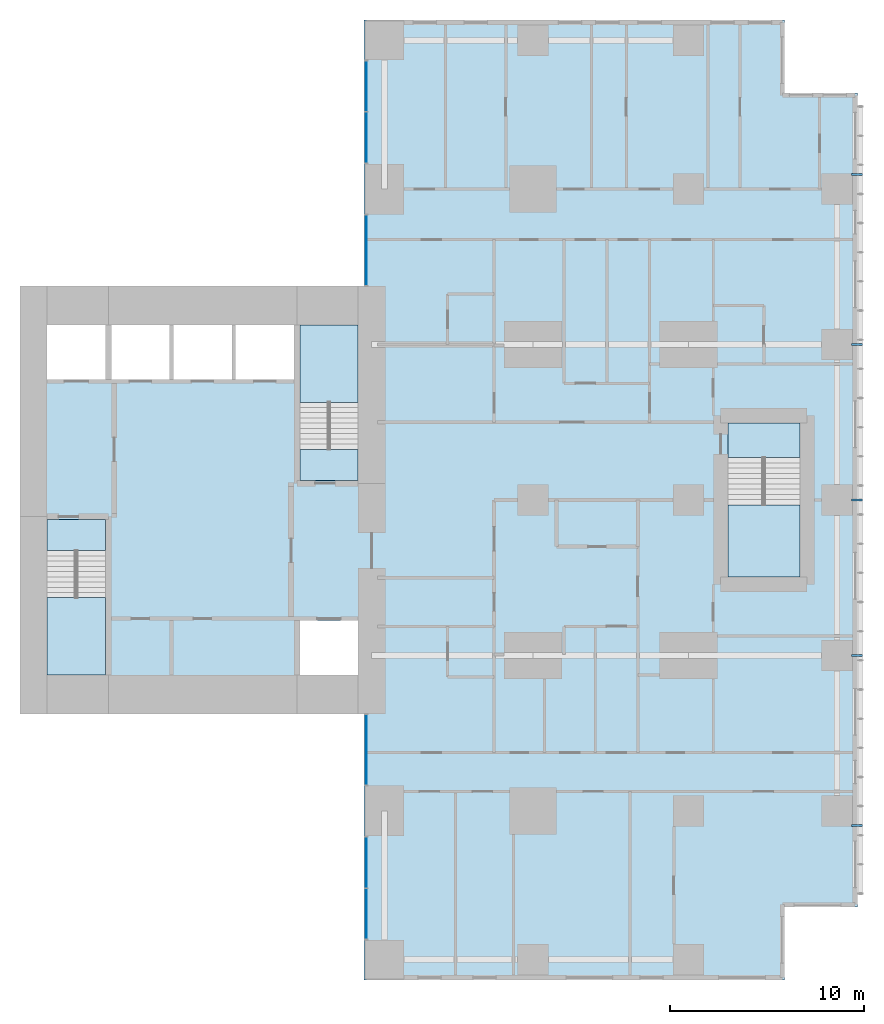
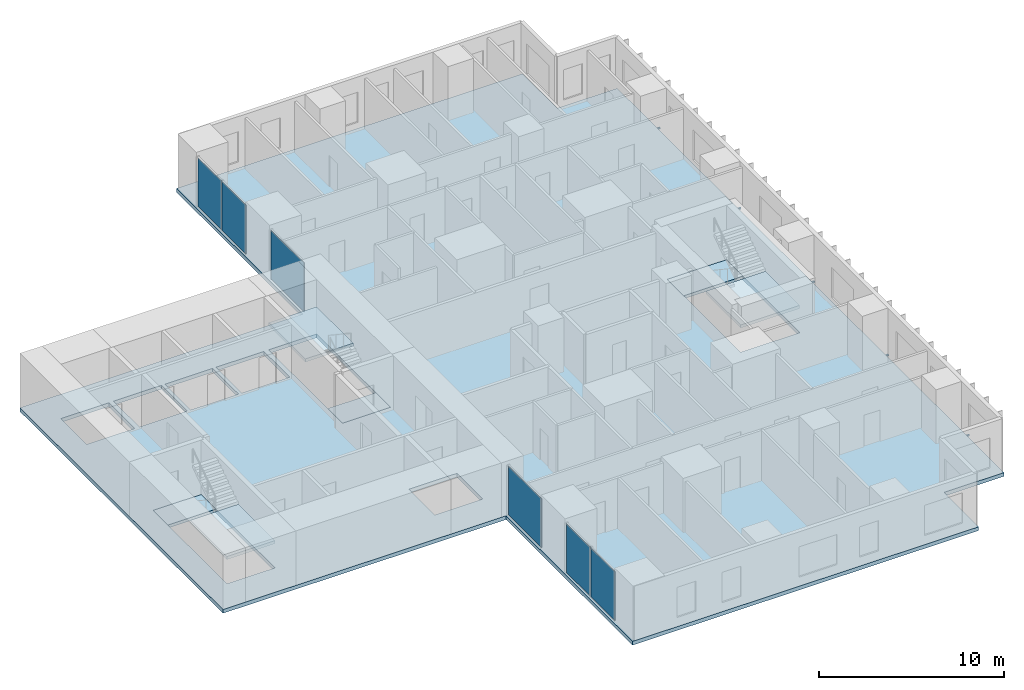
# One storey, part 4 of 12: 7 slabs, 6 plates, 5 members, 7 elements without a shape of their own.
"""IFC4 building model written with IfcOpenShell, lengths in metres."""

from ifc_helpers import new_model, si_unit, direction, frame, origin, origin_2d, place, context, subcontext, project, spatial, polyline, rectangle, hollow_rectangle, outline, extrude, material, layer, layer_set, material_profile, profile_set, type_object, element, aggregate, save


model = new_model("IFC4")

# Units and contexts
model_context = context("Model", 3, precision=1e-05, world=origin(), true_north=direction((0.0, 1.0)))
body_context = subcontext(model_context, "Body", "Model", "MODEL_VIEW")
ifc_project = project(units=[si_unit("LENGTHUNIT", "METRE"), si_unit("AREAUNIT", "SQUARE_METRE"), si_unit("VOLUMEUNIT", "CUBIC_METRE"), si_unit("PLANEANGLEUNIT", "RADIAN"), si_unit("MASSUNIT", "GRAM", prefix="KILO")], contexts=[model_context])

# Site, building, storey
site_placement = place(None, origin())
site = spatial("IfcSite", under=ifc_project, at=site_placement, CompositionType="ELEMENT")
building_placement = place(site_placement, origin())
building = spatial("IfcBuilding", under=site, at=building_placement, Name="Cleftline Residences", CompositionType="ELEMENT")
storey_placement = place(building_placement, frame((0.0, 0.0, 237.60009765625)))
storey = spatial("IfcBuildingStorey", under=building, at=storey_placement, Name="L62", CompositionType="ELEMENT", Elevation=237.60009765625)

# Members
ifc_material_1 = material(Name="Steel S355, hot-dip galvanised", Category="steel")
ifc_material_profile = material_profile(ifc_material_1, hollow_rectangle(XDim=0.10009765625, YDim=0.10009765625, WallThickness=0.008056640625, InnerFilletRadius=0.008056640625, OuterFilletRadius=0.011962890625, at=origin_2d()))
ifc_profile_set = profile_set([ifc_material_profile], Name="Steel S355, hot-dip galvanised")
member_type = type_object("IfcMemberType", Name="BAGUETTE BRACKET SHS 100X100X8", PredefinedType="USERDEFINED", material=ifc_profile_set)
for number, where, z_axis, x_axis, name in (
    (1, (66.39990234375, 7.25, -0.150146484375), (1.0, 0.0, 0.0), (0.0, 1.0, 0.0), "Baguette bracket"),
    (2, (66.39990234375, 16.0, -0.150146484375), (1.0, 0.0, 0.0), (0.0, 1.0, 0.0), "Baguette bracket"),
    (3, (66.39990234375, 24.0, -0.150146484375), (1.0, 0.0, 0.0), (0.0, 1.0, 0.0), "Baguette bracket"),
    (4, (66.39990234375, 32.0, -0.150146484375), (1.0, 0.0, 0.0), (0.0, 1.0, 0.0), "Baguette bracket"),
    (5, (66.39990234375, 40.75, -0.150146484375), (1.0, 0.0, 0.0), (0.0, 1.0, 0.0), "Baguette bracket"),
):
    element("IfcMember", number, at=place(storey_placement, frame(where, z_axis=z_axis, x_axis=x_axis)), inside=storey, type_object=member_type, Name=name, ObjectType="BAGUETTE BRACKET", PredefinedType="USERDEFINED", context=body_context, shape_type="SweptSolid", body=[
        extrude(hollow_rectangle(XDim=0.10009765625, YDim=0.10009765625, WallThickness=0.008056640625, InnerFilletRadius=0.008056640625, OuterFilletRadius=0.011962890625, at=origin_2d()), origin(), (0.0, 0.0, 1.0), 0.550048828125),
    ])

# Curtain wall, plate
ifc_material_2 = material(Name="Aluminium framed curtain wall", Category="aluminium")
ifc_layer_1 = layer(ifc_material_2, 0.199951171875)
ifc_layer_set_1 = layer_set([ifc_layer_1], Name="CW1 CLEFT GLAZING")
curtain_wall_type = type_object("IfcCurtainWallType", Name="CW1 CLEFT GLAZING", PredefinedType="NOTDEFINED", material=ifc_layer_set_1)
curtain_wall_1_placement = place(storey_placement, origin())
curtain_wall_1 = element("IfcCurtainWall", 6, at=curtain_wall_1_placement, inside=storey, type_object=curtain_wall_type, Name="Curtain wall CW1", PredefinedType="NOTDEFINED")
ifc_material_3 = material(Name="Laminated clear glass", Category="glass")
ifc_layer_2 = layer(ifc_material_3, 0.028076171875)
ifc_layer_set_2 = layer_set([ifc_layer_2], Name="CW1 GLASS PANEL")
plate_type = type_object("IfcPlateType", Name="CW1 GLASS PANEL", PredefinedType="CURTAIN_PANEL", material=ifc_layer_set_2)
plate_1_placement = place(storey_placement, frame((41.425048828125, 11.14990234375, 0.059814453125), z_axis=(0.0, 0.0, 1.0), x_axis=(0.0, -1.0, 0.0)))
plate_1 = element("IfcPlate", 7, at=plate_1_placement, type_object=plate_type, Name="CW1 panel 1.1", PredefinedType="CURTAIN_PANEL", context=body_context, shape_type="SweptSolid", body=[
    extrude(rectangle(XDim=3.580078125, YDim=0.028076171875, at=origin_2d()), origin(), (0.0, 0.0, 1.0), 3.22998046875),
])
aggregate(curtain_wall_1, [plate_1])

# Curtain wall, plates
curtain_wall_2_placement = place(storey_placement, origin())
curtain_wall_2 = element("IfcCurtainWall", 8, at=curtain_wall_2_placement, inside=storey, type_object=curtain_wall_type, Name="Curtain wall CW1", PredefinedType="NOTDEFINED")
plate_2_placement = place(storey_placement, frame((41.425048828125, 5.347412109375, 0.059814453125), z_axis=(0.0, 0.0, 1.0), x_axis=(0.0, -1.0, 0.0)))
plate_2 = element("IfcPlate", 9, at=plate_2_placement, type_object=plate_type, Name="CW1 panel 1.1", PredefinedType="CURTAIN_PANEL", context=body_context, shape_type="SweptSolid", body=[
    extrude(rectangle(XDim=2.5849609375, YDim=0.028076171875, at=origin_2d()), origin(), (0.0, 0.0, 1.0), 3.22998046875),
])
plate_3_placement = place(storey_placement, frame((41.425048828125, 2.702392578125, 0.059814453125), z_axis=(0.0, 0.0, 1.0), x_axis=(0.0, -1.0, 0.0)))
plate_3 = element("IfcPlate", 10, at=plate_3_placement, type_object=plate_type, Name="CW1 panel 2.1", PredefinedType="CURTAIN_PANEL", context=body_context, shape_type="SweptSolid", body=[
    extrude(rectangle(XDim=2.5849609375, YDim=0.028076171875, at=origin_2d()), origin(), (0.0, 0.0, 1.0), 3.22998046875),
])
aggregate(curtain_wall_2, [plate_2, plate_3])

curtain_wall_3_placement = place(storey_placement, origin())
curtain_wall_3 = element("IfcCurtainWall", 11, at=curtain_wall_3_placement, inside=storey, type_object=curtain_wall_type, Name="Curtain wall CW1", PredefinedType="NOTDEFINED")
plate_4_placement = place(storey_placement, frame((41.425048828125, 45.297607421875, 0.059814453125), z_axis=(0.0, 0.0, 1.0), x_axis=(0.0, -1.0, 0.0)))
plate_4 = element("IfcPlate", 12, at=plate_4_placement, type_object=plate_type, Name="CW1 panel 1.1", PredefinedType="CURTAIN_PANEL", context=body_context, shape_type="SweptSolid", body=[
    extrude(rectangle(XDim=2.5849609375, YDim=0.028076171875, at=origin_2d()), origin(), (0.0, 0.0, 1.0), 3.22998046875),
])
plate_5_placement = place(storey_placement, frame((41.425048828125, 42.652587890625, 0.059814453125), z_axis=(0.0, 0.0, 1.0), x_axis=(0.0, -1.0, 0.0)))
plate_5 = element("IfcPlate", 13, at=plate_5_placement, type_object=plate_type, Name="CW1 panel 2.1", PredefinedType="CURTAIN_PANEL", context=body_context, shape_type="SweptSolid", body=[
    extrude(rectangle(XDim=2.5849609375, YDim=0.028076171875, at=origin_2d()), origin(), (0.0, 0.0, 1.0), 3.22998046875),
])
aggregate(curtain_wall_3, [plate_4, plate_5])

# Curtain wall, plate
curtain_wall_4_placement = place(storey_placement, origin())
curtain_wall_4 = element("IfcCurtainWall", 14, at=curtain_wall_4_placement, inside=storey, type_object=curtain_wall_type, Name="Curtain wall CW1", PredefinedType="NOTDEFINED")
plate_6_placement = place(storey_placement, frame((41.425048828125, 36.85009765625, 0.059814453125), z_axis=(0.0, 0.0, 1.0), x_axis=(0.0, -1.0, 0.0)))
plate_6 = element("IfcPlate", 15, at=plate_6_placement, type_object=plate_type, Name="CW1 panel 1.1", PredefinedType="CURTAIN_PANEL", context=body_context, shape_type="SweptSolid", body=[
    extrude(rectangle(XDim=3.580078125, YDim=0.028076171875, at=origin_2d()), origin(), (0.0, 0.0, 1.0), 3.22998046875),
])
aggregate(curtain_wall_4, [plate_6])

# Slab
ifc_material_4 = material(Name="Concrete B45", Category="concrete")
ifc_layer_3 = layer(ifc_material_4, 0.25)
ifc_layer_set_3 = layer_set([ifc_layer_3], Name="FLOOR SLAB 250")
slab_type_1 = type_object("IfcSlabType", Name="FLOOR SLAB 250", PredefinedType="FLOOR", material=ifc_layer_set_3)
slab_1_placement = place(storey_placement, frame((0.0, 0.0, -0.25)))
element("IfcSlab", 16, at=slab_1_placement, inside=storey, type_object=slab_type_1, Name="Floor slab L62", PredefinedType="FLOOR", context=body_context, shape_type="SweptSolid", body=[
    extrude(outline(polyline([(41.300048828125, 13.0), (41.300048828125, -0.699951171875), (62.949951171875, -0.699951171875), (62.949951171875, 3.050048828125), (66.699951171875, 3.050048828125), (66.699951171875, 44.949951171875), (62.949951171875, 44.949951171875), (62.949951171875, 48.699951171875), (41.300048828125, 48.699951171875), (41.300048828125, 35.0), (23.60009765625, 35.0), (23.60009765625, 13.0), (41.300048828125, 13.0)]), holes=[polyline([(28.0, 15.0), (28.0, 23.0), (25.0, 23.0), (25.0, 15.0), (28.0, 15.0)]), polyline([(41.0, 25.0), (41.0, 33.0), (38.0, 33.0), (38.0, 25.0), (41.0, 25.0)]), polyline([(28.0, 30.199951171875), (28.0, 33.0), (25.0, 33.0), (25.0, 30.199951171875), (28.0, 30.199951171875)]), polyline([(41.0, 15.0), (41.0, 17.800048828125), (38.0, 17.800048828125), (38.0, 15.0), (41.0, 15.0)]), polyline([(31.300048828125, 30.199951171875), (31.300048828125, 33.0), (28.300048828125, 33.0), (28.300048828125, 30.199951171875), (31.300048828125, 30.199951171875)]), polyline([(34.5, 30.199951171875), (34.5, 33.0), (31.5, 33.0), (31.5, 30.199951171875), (34.5, 30.199951171875)]), polyline([(37.699951171875, 30.199951171875), (37.699951171875, 33.0), (34.699951171875, 33.0), (34.699951171875, 30.199951171875), (37.699951171875, 30.199951171875)]), polyline([(63.72509765625, 20.02490234375), (63.72509765625, 27.97509765625), (60.02490234375, 27.97509765625), (60.02490234375, 20.02490234375), (63.72509765625, 20.02490234375)])]), origin(), (0.0, 0.0, 1.0), 0.25),
])

# Stair, slabs
ifc_material_5 = material(Name="Concrete B45, stone treads", Category="masonry")
stair_type_1 = type_object("IfcStairType", Name="STAIR A 1450 WIDE 180 RISER", PredefinedType="HALF_TURN_STAIR", material=ifc_material_5)
stair_1_placement = place(storey_placement, origin())
stair_1 = element("IfcStair", 17, at=stair_1_placement, inside=storey, type_object=stair_type_1, Name="Stair A L62", PredefinedType="HALF_TURN_STAIR")
ifc_material_6 = material(Name="Concrete B45", Category="concrete")
ifc_layer_4 = layer(ifc_material_6, 0.199951171875)
ifc_layer_set_4 = layer_set([ifc_layer_4], Name="STAIR LANDING 200")
slab_type_2 = type_object("IfcSlabType", Name="STAIR LANDING 200", PredefinedType="LANDING", material=ifc_layer_set_4)
slab_2_placement = place(storey_placement, frame((0.0, 0.0, -0.2001953125)))
slab_2 = element("IfcSlab", 18, at=slab_2_placement, type_object=slab_type_2, Name="ST-A landing 1", PredefinedType="LANDING", context=body_context, shape_type="SweptSolid", body=[
    extrude(outline(polyline([(25.0, 21.39990234375), (28.0, 21.39990234375), (28.0, 23.0), (25.0, 23.0), (25.0, 21.39990234375)])), origin(), (0.0, 0.0, 1.0), 0.2001953125),
])
slab_3_placement = place(storey_placement, frame((0.0, 0.0, 1.599853515625)))
slab_3 = element("IfcSlab", 19, at=slab_3_placement, type_object=slab_type_2, Name="ST-A landing 2", PredefinedType="LANDING", context=body_context, shape_type="SweptSolid", body=[
    extrude(outline(polyline([(25.0, 15.0), (28.0, 15.0), (28.0, 18.969970703125), (25.0, 18.969970703125), (25.0, 15.0)])), origin(), (0.0, 0.0, 1.0), 0.199951171875),
])
aggregate(stair_1, [slab_2, slab_3])

ifc_material_7 = material(Name="Concrete B45, stone treads", Category="masonry")
stair_type_2 = type_object("IfcStairType", Name="STAIR B 1450 WIDE 180 RISER", PredefinedType="HALF_TURN_STAIR", material=ifc_material_7)
stair_2_placement = place(storey_placement, origin())
stair_2 = element("IfcStair", 20, at=stair_2_placement, inside=storey, type_object=stair_type_2, Name="Stair B L62", PredefinedType="HALF_TURN_STAIR")
slab_4_placement = place(storey_placement, frame((0.0, 0.0, -0.2001953125)))
slab_4 = element("IfcSlab", 21, at=slab_4_placement, type_object=slab_type_2, Name="ST-B landing 1", PredefinedType="LANDING", context=body_context, shape_type="SweptSolid", body=[
    extrude(outline(polyline([(38.0, 25.0), (41.0, 25.0), (41.0, 26.60009765625), (38.0, 26.60009765625), (38.0, 25.0)])), origin(), (0.0, 0.0, 1.0), 0.2001953125),
])
slab_5_placement = place(storey_placement, frame((0.0, 0.0, 1.599853515625)))
slab_5 = element("IfcSlab", 22, at=slab_5_placement, type_object=slab_type_2, Name="ST-B landing 2", PredefinedType="LANDING", context=body_context, shape_type="SweptSolid", body=[
    extrude(outline(polyline([(38.0, 29.030029296875), (41.0, 29.030029296875), (41.0, 33.0), (38.0, 33.0), (38.0, 29.030029296875)])), origin(), (0.0, 0.0, 1.0), 0.199951171875),
])
aggregate(stair_2, [slab_4, slab_5])

ifc_material_8 = material(Name="Concrete B45, stone treads", Category="masonry")
stair_type_3 = type_object("IfcStairType", Name="STAIR E 1800 WIDE 180 RISER", PredefinedType="HALF_TURN_STAIR", material=ifc_material_8)
stair_3_placement = place(storey_placement, origin())
stair_3 = element("IfcStair", 23, at=stair_3_placement, inside=storey, type_object=stair_type_3, Name="Stair E L62", PredefinedType="HALF_TURN_STAIR")
slab_6_placement = place(storey_placement, frame((0.0, 0.0, -0.2001953125)))
slab_6 = element("IfcSlab", 24, at=slab_6_placement, type_object=slab_type_2, Name="ST-E landing 1", PredefinedType="LANDING", context=body_context, shape_type="SweptSolid", body=[
    extrude(outline(polyline([(60.02490234375, 26.175048828125), (63.72509765625, 26.175048828125), (63.72509765625, 27.97509765625), (60.02490234375, 27.97509765625), (60.02490234375, 26.175048828125)])), origin(), (0.0, 0.0, 1.0), 0.2001953125),
])
slab_7_placement = place(storey_placement, frame((0.0, 0.0, 1.599853515625)))
slab_7 = element("IfcSlab", 25, at=slab_7_placement, type_object=slab_type_2, Name="ST-E landing 2", PredefinedType="LANDING", context=body_context, shape_type="SweptSolid", body=[
    extrude(outline(polyline([(60.02490234375, 20.02490234375), (63.72509765625, 20.02490234375), (63.72509765625, 23.7451171875), (60.02490234375, 23.7451171875), (60.02490234375, 20.02490234375)])), origin(), (0.0, 0.0, 1.0), 0.199951171875),
])
aggregate(stair_3, [slab_6, slab_7])

save(model, "model.ifc")
